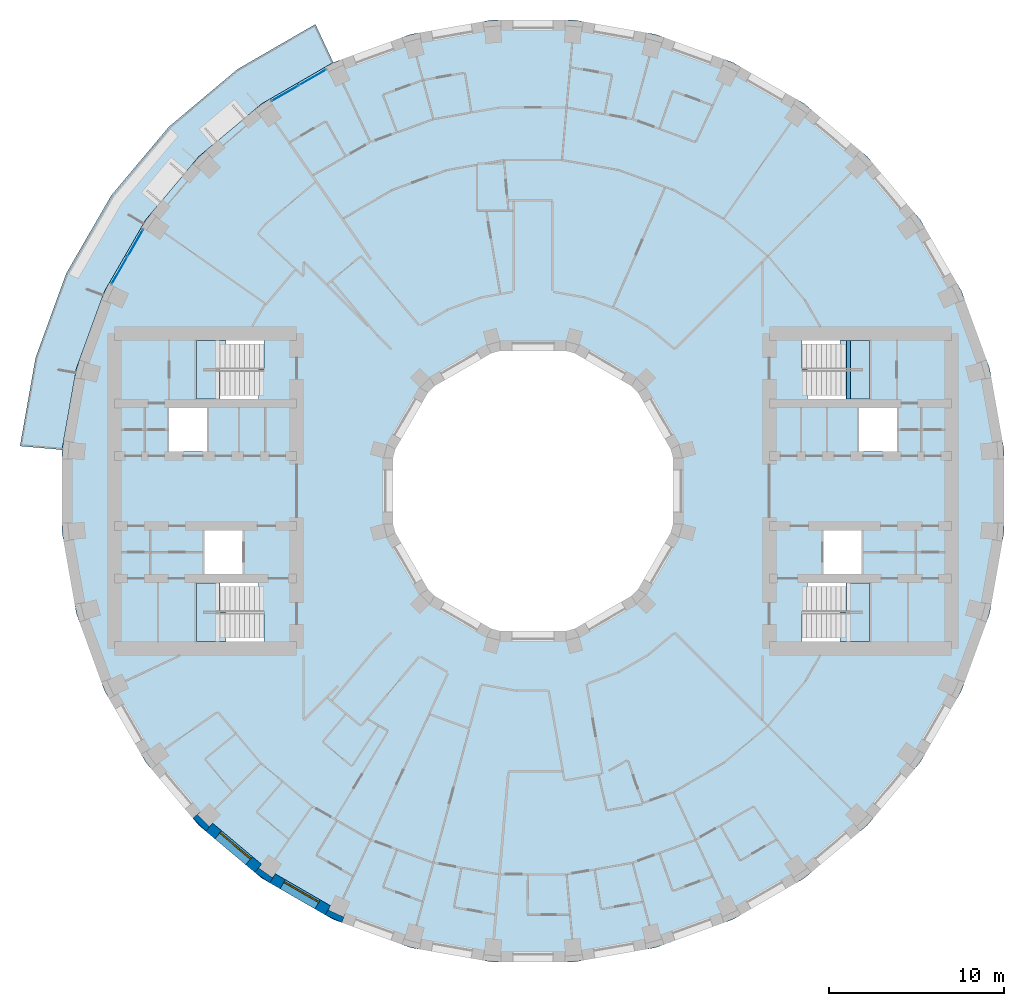
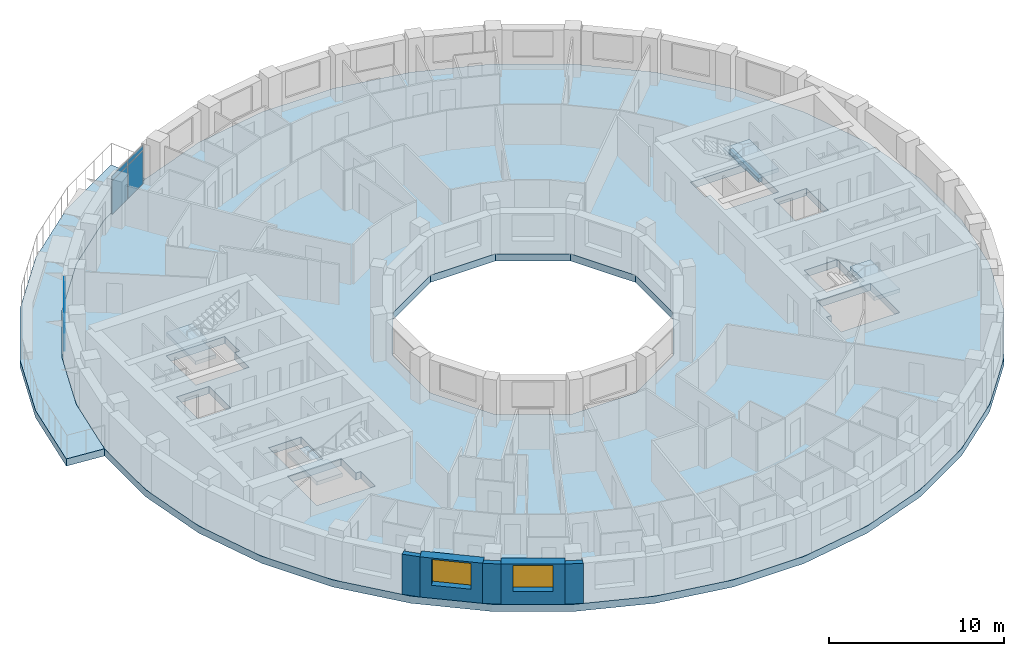
# One storey, part 3 of 14: 8 plates, 6 slabs, 5 walls, 2 windows, 1 beam, 2 openings, 6 elements without a shape of their own.
"""IFC4 building model written with IfcOpenShell, lengths in metres."""

from ifc_helpers import new_model, si_unit, direction, frame, frame_2d, origin, origin_2d, place, context, subcontext, project, spatial, polyline, rectangle, outline, extrude, material, layer, layer_set, material_profile, profile_set, type_object, element, fill, aggregate, save


model = new_model("IFC4")

# Units and contexts
model_context = context("Model", 3, precision=1e-05, world=origin(), true_north=direction((0.0, 1.0)))
body_context = subcontext(model_context, "Body", "Model", "MODEL_VIEW")
ifc_project = project(units=[si_unit("LENGTHUNIT", "METRE"), si_unit("AREAUNIT", "SQUARE_METRE"), si_unit("VOLUMEUNIT", "CUBIC_METRE"), si_unit("PLANEANGLEUNIT", "RADIAN"), si_unit("MASSUNIT", "GRAM", prefix="KILO")], contexts=[model_context])

# Site, building, storey
site_placement = place(None, origin())
site = spatial("IfcSite", under=ifc_project, at=site_placement, CompositionType="ELEMENT")
building_placement = place(site_placement, origin())
building = spatial("IfcBuilding", under=site, at=building_placement, Name="Saqina Gate Tower", CompositionType="ELEMENT")
storey_placement = place(building_placement, frame((0.0, 0.0, 105.10009765625)))
storey = spatial("IfcBuildingStorey", under=building, at=storey_placement, Name="L29", CompositionType="ELEMENT", Elevation=105.10009765625)

# Beam
ifc_material_1 = material(Name="Concrete C40/50", Category="concrete")
ifc_material_profile = material_profile(ifc_material_1, rectangle(XDim=0.25, YDim=0.300048828125, at=origin_2d()), Name="STAIR LANDING BEAM")
ifc_profile_set = profile_set([ifc_material_profile], Name="Concrete C40/50")
beam_type = type_object("IfcBeamType", Name="STAIR LANDING BEAM", PredefinedType="BEAM", material=ifc_profile_set)
beam_placement = place(storey_placement, frame((18.02001953125, 5.25, 1.25), z_axis=(0.0, 1.0, 0.0), x_axis=(-1.0, 0.0, 0.0)))
element("IfcBeam", 1, at=beam_placement, inside=storey, type_object=beam_type, Name="EXIT STAIR 1 LANDING BEAM", PredefinedType="BEAM", context=body_context, shape_type="SweptSolid", body=[
    extrude(rectangle(XDim=0.25, YDim=0.300048828125, at=origin_2d()), origin(), (0.0, 0.0, 1.0), 3.35009765625),
])

# Curtain wall, plates
ifc_material_2 = material(Name="Aluminium glazing", Category="aluminium")
ifc_layer_1 = layer(ifc_material_2, 0.159912109375)
ifc_layer_set_1 = layer_set([ifc_layer_1], Name="CWT-4")
curtain_wall_type = type_object("IfcCurtainWallType", Name="CWT-4", PredefinedType="NOTDEFINED", material=ifc_layer_set_1)
curtain_wall_1_placement = place(storey_placement, origin())
curtain_wall_1 = element("IfcCurtainWall", 2, at=curtain_wall_1_placement, inside=storey, type_object=curtain_wall_type, Name="Terrace lounge glazing facet 12", PredefinedType="NOTDEFINED")
ifc_material_3 = material(Name="Glass", Category="glass")
ifc_layer_2 = layer(ifc_material_3, 0.028076171875)
ifc_layer_set_2 = layer_set([ifc_layer_2], Name="CWT-4P")
plate_type = type_object("IfcPlateType", Name="CWT-4P", PredefinedType="CURTAIN_PANEL", material=ifc_layer_set_2)
plate_1_placement = place(storey_placement, frame((-12.596923828125, 23.6123046875, 0.059814453125), z_axis=(0.0, 0.0, 1.0), x_axis=(-0.86602626266, -0.499998512381, 0.0)))
plate_1 = element("IfcPlate", 3, at=plate_1_placement, type_object=plate_type, Name="CW4-12 panel 1.1", PredefinedType="CURTAIN_PANEL", context=body_context, shape_type="SweptSolid", body=[
    extrude(rectangle(XDim=1.73388671875, YDim=0.028076171875, at=origin_2d()), origin(), (0.0, 0.0, 1.0), 2.31005859375),
])
plate_2_placement = place(storey_placement, frame((-12.596923828125, 23.6123046875, 2.429931640625), z_axis=(0.0, 0.0, 1.0), x_axis=(-0.86602626266, -0.499998512381, 0.0)))
plate_2 = element("IfcPlate", 4, at=plate_2_placement, type_object=plate_type, Name="CW4-12 panel 1.2", PredefinedType="CURTAIN_PANEL", context=body_context, shape_type="SweptSolid", body=[
    extrude(rectangle(XDim=1.73388671875, YDim=0.028076171875, at=origin_2d()), origin(), (0.0, 0.0, 1.0), 0.31005859375),
])
plate_3_placement = place(storey_placement, frame((-14.150390625, 22.71533203125, 0.059814453125), z_axis=(0.0, 0.0, 1.0), x_axis=(-0.86602626266, -0.499998512381, 0.0)))
plate_3 = element("IfcPlate", 5, at=plate_3_placement, type_object=plate_type, Name="CW4-12 panel 2.1", PredefinedType="CURTAIN_PANEL", context=body_context, shape_type="SweptSolid", body=[
    extrude(rectangle(XDim=1.73388671875, YDim=0.028076171875, at=origin_2d()), origin(), (0.0, 0.0, 1.0), 2.31005859375),
])
plate_4_placement = place(storey_placement, frame((-14.150390625, 22.71533203125, 2.429931640625), z_axis=(0.0, 0.0, 1.0), x_axis=(-0.86602626266, -0.499998512381, 0.0)))
plate_4 = element("IfcPlate", 6, at=plate_4_placement, type_object=plate_type, Name="CW4-12 panel 2.2", PredefinedType="CURTAIN_PANEL", context=body_context, shape_type="SweptSolid", body=[
    extrude(rectangle(XDim=1.73388671875, YDim=0.028076171875, at=origin_2d()), origin(), (0.0, 0.0, 1.0), 0.31005859375),
])
aggregate(curtain_wall_1, [plate_1, plate_2, plate_3, plate_4])

curtain_wall_2_placement = place(storey_placement, origin())
curtain_wall_2 = element("IfcCurtainWall", 7, at=curtain_wall_2_placement, inside=storey, type_object=curtain_wall_type, Name="Terrace lounge glazing facet 15", PredefinedType="NOTDEFINED")
plate_5_placement = place(storey_placement, frame((-22.71533203125, 14.150390625, 0.059814453125), z_axis=(0.0, 0.0, 1.0), x_axis=(-0.499998512381, -0.86602626266, 0.0)))
plate_5 = element("IfcPlate", 8, at=plate_5_placement, type_object=plate_type, Name="CW4-15 panel 1.1", PredefinedType="CURTAIN_PANEL", context=body_context, shape_type="SweptSolid", body=[
    extrude(rectangle(XDim=1.73388671875, YDim=0.028076171875, at=origin_2d()), origin(), (0.0, 0.0, 1.0), 2.31005859375),
])
plate_6_placement = place(storey_placement, frame((-22.71533203125, 14.150390625, 2.429931640625), z_axis=(0.0, 0.0, 1.0), x_axis=(-0.499998512381, -0.86602626266, 0.0)))
plate_6 = element("IfcPlate", 9, at=plate_6_placement, type_object=plate_type, Name="CW4-15 panel 1.2", PredefinedType="CURTAIN_PANEL", context=body_context, shape_type="SweptSolid", body=[
    extrude(rectangle(XDim=1.73388671875, YDim=0.028076171875, at=origin_2d()), origin(), (0.0, 0.0, 1.0), 0.31005859375),
])
plate_7_placement = place(storey_placement, frame((-23.6123046875, 12.596923828125, 0.059814453125), z_axis=(0.0, 0.0, 1.0), x_axis=(-0.499998512381, -0.86602626266, 0.0)))
plate_7 = element("IfcPlate", 10, at=plate_7_placement, type_object=plate_type, Name="CW4-15 panel 2.1", PredefinedType="CURTAIN_PANEL", context=body_context, shape_type="SweptSolid", body=[
    extrude(rectangle(XDim=1.73388671875, YDim=0.028076171875, at=origin_2d()), origin(), (0.0, 0.0, 1.0), 2.31005859375),
])
plate_8_placement = place(storey_placement, frame((-23.6123046875, 12.596923828125, 2.429931640625), z_axis=(0.0, 0.0, 1.0), x_axis=(-0.499998512381, -0.86602626266, 0.0)))
plate_8 = element("IfcPlate", 11, at=plate_8_placement, type_object=plate_type, Name="CW4-15 panel 2.2", PredefinedType="CURTAIN_PANEL", context=body_context, shape_type="SweptSolid", body=[
    extrude(rectangle(XDim=1.73388671875, YDim=0.028076171875, at=origin_2d()), origin(), (0.0, 0.0, 1.0), 0.31005859375),
])
aggregate(curtain_wall_2, [plate_5, plate_6, plate_7, plate_8])

# Stair, slab
ifc_material_4 = material(Name="Concrete C40/50", Category="concrete")
stair_type = type_object("IfcStairType", Name="EXIT STAIR", PredefinedType="HALF_TURN_STAIR", material=ifc_material_4)
stair_1_placement = place(storey_placement, origin())
stair_1 = element("IfcStair", 12, at=stair_1_placement, inside=storey, type_object=stair_type, Name="EXIT STAIR 1", PredefinedType="HALF_TURN_STAIR")
ifc_material_5 = material(Name="Concrete C40/50", Category="concrete")
ifc_layer_3 = layer(ifc_material_5, 0.25)
ifc_layer_set_3 = layer_set([ifc_layer_3], Name="Concrete C40/50")
slab_type_1 = type_object("IfcSlabType", Name="EXIT STAIR LANDING", PredefinedType="LANDING", material=ifc_layer_set_3)
slab_1_placement = place(storey_placement, frame((0.0, 0.0, 1.39990234375)))
slab_1 = element("IfcSlab", 13, at=slab_1_placement, type_object=slab_type_1, Name="EXIT STAIR 1 LANDING 1", PredefinedType="LANDING", context=body_context, shape_type="SweptSolid", body=[
    extrude(outline(polyline([(19.219970703125, 8.60009765625), (19.219970703125, 5.25), (17.864990234375, 5.25), (17.864990234375, 6.925048828125), (17.534423828125, 6.925048828125), (17.534423828125, 8.60009765625), (17.864990234375, 8.60009765625), (17.8701171875, 8.60009765625), (19.219970703125, 8.60009765625)])), origin(), (0.0, 0.0, 1.0), 0.25),
])
aggregate(stair_1, [slab_1])

stair_2_placement = place(storey_placement, origin())
stair_2 = element("IfcStair", 14, at=stair_2_placement, inside=storey, type_object=stair_type, Name="EXIT STAIR 2", PredefinedType="HALF_TURN_STAIR")
slab_2_placement = place(storey_placement, frame((0.0, 0.0, 1.39990234375)))
slab_2 = element("IfcSlab", 15, at=slab_2_placement, type_object=slab_type_1, Name="EXIT STAIR 2 LANDING 1", PredefinedType="LANDING", context=body_context, shape_type="SweptSolid", body=[
    extrude(outline(polyline([(17.534423828125, -8.60009765625), (17.534423828125, -6.925048828125), (17.864990234375, -6.925048828125), (17.864990234375, -5.25), (19.219970703125, -5.25), (19.219970703125, -8.60009765625), (17.8701171875, -8.60009765625), (17.864990234375, -8.60009765625), (17.534423828125, -8.60009765625)])), origin(), (0.0, 0.0, 1.0), 0.25),
])
aggregate(stair_2, [slab_2])

stair_3_placement = place(storey_placement, origin())
stair_3 = element("IfcStair", 16, at=stair_3_placement, inside=storey, type_object=stair_type, Name="EXIT STAIR 3", PredefinedType="HALF_TURN_STAIR")
slab_3_placement = place(storey_placement, frame((0.0, 0.0, 1.39990234375)))
slab_3 = element("IfcSlab", 17, at=slab_3_placement, type_object=slab_type_1, Name="EXIT STAIR 3 LANDING 1", PredefinedType="LANDING", context=body_context, shape_type="SweptSolid", body=[
    extrude(outline(polyline([(-17.864990234375, 5.25), (-19.219970703125, 5.25), (-19.219970703125, 8.60009765625), (-17.8701171875, 8.60009765625), (-17.864990234375, 8.60009765625), (-17.534423828125, 8.60009765625), (-17.534423828125, 6.925048828125), (-17.864990234375, 6.925048828125), (-17.864990234375, 5.25)])), origin(), (0.0, 0.0, 1.0), 0.25),
])
aggregate(stair_3, [slab_3])

stair_4_placement = place(storey_placement, origin())
stair_4 = element("IfcStair", 18, at=stair_4_placement, inside=storey, type_object=stair_type, Name="EXIT STAIR 4", PredefinedType="HALF_TURN_STAIR")
slab_4_placement = place(storey_placement, frame((0.0, 0.0, 1.39990234375)))
slab_4 = element("IfcSlab", 19, at=slab_4_placement, type_object=slab_type_1, Name="EXIT STAIR 4 LANDING 1", PredefinedType="LANDING", context=body_context, shape_type="SweptSolid", body=[
    extrude(outline(polyline([(-17.534423828125, -6.925048828125), (-17.534423828125, -8.60009765625), (-17.864990234375, -8.60009765625), (-17.8701171875, -8.60009765625), (-19.219970703125, -8.60009765625), (-19.219970703125, -5.25), (-17.864990234375, -5.25), (-17.864990234375, -6.925048828125), (-17.534423828125, -6.925048828125)])), origin(), (0.0, 0.0, 1.0), 0.25),
])
aggregate(stair_4, [slab_4])

# Slabs
ifc_material_6 = material(Name="Concrete C40/50", Category="concrete")
ifc_layer_4 = layer(ifc_material_6, 0.5)
ifc_layer_set_4 = layer_set([ifc_layer_4], Name="Concrete C40/50")
slab_type_2 = type_object("IfcSlabType", Name="STR-POST-TENSIONED FLAT PLATE FLOOR-500", PredefinedType="FLOOR", material=ifc_layer_set_4)
slab_5_placement = place(storey_placement, frame((0.0, 0.0, -0.5)))
element("IfcSlab", 20, at=slab_5_placement, inside=storey, type_object=slab_type_2, Name="L29-SLB01", PredefinedType="FLOOR", context=body_context, shape_type="SweptSolid", body=[
    extrude(outline(polyline([(26.080078125, -6.988037109375), (26.897216796875, -2.353271484375), (26.897216796875, 2.353271484375), (26.080078125, 6.988037109375), (24.47021484375, 11.41064453125), (22.1171875, 15.486572265625), (19.091796875, 19.091796875), (15.486572265625, 22.1171875), (11.41064453125, 24.47021484375), (6.988037109375, 26.080078125), (2.353271484375, 26.897216796875), (-2.353271484375, 26.897216796875), (-6.988037109375, 26.080078125), (-11.41064453125, 24.47021484375), (-15.486572265625, 22.1171875), (-19.091796875, 19.091796875), (-22.1171875, 15.486572265625), (-24.47021484375, 11.41064453125), (-26.080078125, 6.988037109375), (-26.897216796875, 2.353271484375), (-26.897216796875, -2.353271484375), (-26.080078125, -6.988037109375), (-24.47021484375, -11.41064453125), (-22.1171875, -15.486572265625), (-19.091796875, -19.091796875), (-15.486572265625, -22.1171875), (-11.41064453125, -24.47021484375), (-6.988037109375, -26.080078125), (-2.353271484375, -26.897216796875), (2.353271484375, -26.897216796875), (6.988037109375, -26.080078125), (11.41064453125, -24.47021484375), (15.486572265625, -22.1171875), (19.091796875, -19.091796875), (22.1171875, -15.486572265625), (24.47021484375, -11.41064453125), (26.080078125, -6.988037109375)]), holes=[polyline([(2.1435546875, 8.0), (5.8564453125, 5.8564453125), (8.0, 2.1435546875), (8.0, -2.1435546875), (5.8564453125, -5.8564453125), (2.1435546875, -8.0), (-2.1435546875, -8.0), (-5.8564453125, -5.8564453125), (-8.0, -2.1435546875), (-8.0, 2.1435546875), (-5.8564453125, 5.8564453125), (-2.1435546875, 8.0), (2.1435546875, 8.0)]), polyline([(-15.35498046875, -8.60009765625), (-19.219970703125, -8.60009765625), (-19.219970703125, -6.925048828125), (-19.219970703125, -5.25), (-15.685546875, -5.25), (-15.685546875, -6.925048828125), (-15.35498046875, -6.925048828125), (-15.35498046875, -8.60009765625)]), polyline([(-16.590087890625, -2.25), (-16.590087890625, -4.75), (-18.75, -4.75), (-18.75, -2.25), (-16.590087890625, -2.25)]), polyline([(-20.780029296875, 4.75), (-18.6201171875, 4.75), (-18.6201171875, 2.25), (-20.780029296875, 2.25), (-20.780029296875, 4.75)]), polyline([(-19.219970703125, 6.925048828125), (-19.219970703125, 8.60009765625), (-15.35498046875, 8.60009765625), (-15.35498046875, 6.925048828125), (-15.685546875, 6.925048828125), (-15.685546875, 5.25), (-19.219970703125, 5.25), (-19.219970703125, 6.925048828125)]), polyline([(15.35498046875, -8.60009765625), (15.35498046875, -6.925048828125), (15.685546875, -6.925048828125), (15.685546875, -5.25), (19.219970703125, -5.25), (19.219970703125, -6.925048828125), (19.219970703125, -8.60009765625), (15.35498046875, -8.60009765625)]), polyline([(18.75, -2.25), (18.75, -4.75), (16.590087890625, -4.75), (16.590087890625, -2.25), (18.75, -2.25)]), polyline([(18.6201171875, 4.75), (20.780029296875, 4.75), (20.780029296875, 2.25), (18.6201171875, 2.25), (18.6201171875, 4.75)]), polyline([(15.685546875, 6.925048828125), (15.35498046875, 6.925048828125), (15.35498046875, 8.60009765625), (19.219970703125, 8.60009765625), (19.219970703125, 6.925048828125), (19.219970703125, 5.25), (15.685546875, 5.25), (15.685546875, 6.925048828125)])]), origin(), (0.0, 0.0, 1.0), 0.5),
])
ifc_material_7 = material(Name="Concrete C40/50", Category="concrete")
ifc_layer_5 = layer(ifc_material_7, 0.5)
ifc_layer_set_5 = layer_set([ifc_layer_5], Name="Concrete C40/50")
slab_type_3 = type_object("IfcSlabType", Name="STR-POST-TENSIONED FLAT PLATE TERRACE-500", PredefinedType="FLOOR", material=ifc_layer_set_5)
slab_6_placement = place(storey_placement, frame((0.0, 0.0, -0.5)))
element("IfcSlab", 21, at=slab_6_placement, inside=storey, type_object=slab_type_3, Name="L29-TRS01", PredefinedType="FLOOR", context=body_context, shape_type="SweptSolid", body=[
    extrude(outline(polyline([(-11.41064453125, 24.47021484375), (-15.486572265625, 22.1171875), (-19.091796875, 19.091796875), (-22.1171875, 15.486572265625), (-24.47021484375, 11.41064453125), (-26.080078125, 6.988037109375), (-26.897216796875, 2.353271484375), (-29.29736328125, 2.563232421875), (-28.406982421875, 7.611572265625), (-26.65380859375, 12.428955078125), (-24.090576171875, 16.868408203125), (-20.79541015625, 20.79541015625), (-16.868408203125, 24.090576171875), (-12.428955078125, 26.65380859375), (-11.41064453125, 24.47021484375)])), origin(), (0.0, 0.0, 1.0), 0.5),
])

# Walls
ifc_material_8 = material(Name="Brick masonry (buff)", Category="masonry")
wall_type_1 = type_object("IfcWallType", Name="BRICK PIER COPING BUFF", PredefinedType="SOLIDWALL", material=ifc_material_8)
wall_1_placement = place(storey_placement, origin())
element("IfcWall", 22, at=wall_1_placement, inside=storey, type_object=wall_type_1, Name="Pier cap L29 column 23", PredefinedType="SOLIDWALL", context=body_context, shape_type="SweptSolid", body=[
    extrude(outline(polyline([(-19.43212890625, -18.686279296875), (-18.686279296875, -19.43212890625), (-18.30078125, -18.972412109375), (-18.49072265625, -19.16259765625), (-19.16259765625, -18.49072265625), (-18.972412109375, -18.30078125), (-19.43212890625, -18.686279296875)])), origin(), (0.0, 0.0, 1.0), 2.7998046875),
])
wall_2_placement = place(storey_placement, origin())
element("IfcWall", 23, at=wall_2_placement, inside=storey, type_object=wall_type_1, Name="Pier cap L29 column 24", PredefinedType="SOLIDWALL", context=body_context, shape_type="SweptSolid", body=[
    extrude(outline(polyline([(-15.0283203125, -22.3818359375), (-14.728271484375, -21.862060546875), (-14.88232421875, -22.08251953125), (-15.66064453125, -21.53759765625), (-15.50634765625, -21.317138671875), (-15.89208984375, -21.77685546875), (-15.0283203125, -22.3818359375)])), origin(), (0.0, 0.0, 1.0), 2.7998046875),
])
wall_3_placement = place(storey_placement, origin())
element("IfcWall", 24, at=wall_3_placement, inside=storey, type_object=wall_type_1, Name="Pier cap L29 column 25", PredefinedType="SOLIDWALL", context=body_context, shape_type="SweptSolid", body=[
    extrude(outline(polyline([(-10.913330078125, -24.6513671875), (-10.7080078125, -24.08740234375), (-10.82177734375, -24.331298828125), (-11.6826171875, -23.9296875), (-11.569091796875, -23.68603515625), (-11.869140625, -24.205810546875), (-10.913330078125, -24.6513671875)])), origin(), (0.0, 0.0, 1.0), 2.7998046875),
])

# Wall, opening, window
ifc_material_9 = material(Name="Brick masonry (buff)", Category="masonry")
ifc_layer_6 = layer(ifc_material_9, 0.60009765625)
ifc_layer_set_6 = layer_set([ifc_layer_6], Name="FW-BRICK-BUFF")
wall_type_2 = type_object("IfcWallType", Name="FW-BRICK-BUFF", PredefinedType="SOLIDWALL", material=ifc_layer_set_6)
wall_4_placement = place(storey_placement, frame((-18.49365234375, -19.202392578125, 0.0), z_axis=(0.0, 0.0, 1.0), x_axis=(0.766055462616, -0.642774476932, 0.0)))
wall_4 = element("IfcWall", 25, at=wall_4_placement, inside=storey, type_object=wall_type_2, Name="Facade wall L29 facet 23", PredefinedType="SOLIDWALL", context=body_context, shape_type="SweptSolid", body=[
    extrude(rectangle(XDim=3.647705078125, YDim=0.60009765625, at=frame_2d((1.82373046875, 0.0))), origin(), (0.0, 0.0, 1.0), 2.7998046875),
])
opening_1_placement = place(wall_4_placement, frame((0.673828125, 0.0, 0.89990234375)))
opening_1 = element("IfcOpeningElement", 26, at=opening_1_placement, cuts=wall_4, Name="Opening G08-W12", PredefinedType="OPENING", context=body_context, shape_type="SweptSolid", body=[
    extrude(rectangle(XDim=2.300048828125, YDim=1.800048828125, at=frame_2d((1.14990234375, 0.89990234375))), frame((0.0, 0.31201171875, 0.0), z_axis=(0.0, -1.0, 0.0), x_axis=(1.0, 0.0, 0.0)), (0.0, 0.0, 1.0), 0.6240234375),
])
ifc_material_10 = material(Name="Aluminium glazing", Category="aluminium")
window_type = type_object("IfcWindowType", Name="WN-B", PartitioningType="SINGLE_PANEL", PredefinedType="WINDOW", material=ifc_material_10)
window_1_placement = place(opening_1_placement, origin())
window_1 = element("IfcWindow", 27, at=window_1_placement, inside=storey, type_object=window_type, Name="Window L29 facet 23", OverallHeight=1.800048828125, OverallWidth=2.300048828125, PartitioningType="SINGLE_PANEL", PredefinedType="WINDOW", context=body_context, shape_type="SweptSolid", body=[
    extrude(rectangle(XDim=2.300048828125, YDim=1.800048828125, at=frame_2d((1.14990234375, 0.89990234375))), frame((0.0, 0.179931640625, 0.0), z_axis=(0.0, -1.0, 0.0), x_axis=(1.0, 0.0, 0.0)), (0.0, 0.0, 1.0), 0.06005859375),
])
fill(opening_1, window_1)

wall_5_placement = place(storey_placement, frame((-14.878173828125, -22.1220703125, 0.0), z_axis=(0.0, 0.0, 1.0), x_axis=(0.866051847062, -0.499954196102, 0.0)))
wall_5 = element("IfcWall", 28, at=wall_5_placement, inside=storey, type_object=wall_type_2, Name="Facade wall L29 facet 24", PredefinedType="SOLIDWALL", context=body_context, shape_type="SweptSolid", body=[
    extrude(rectangle(XDim=3.647705078125, YDim=0.60009765625, at=frame_2d((1.82373046875, 0.0))), origin(), (0.0, 0.0, 1.0), 2.7998046875),
])
opening_2_placement = place(wall_5_placement, frame((0.673828125, 0.0, 0.89990234375)))
opening_2 = element("IfcOpeningElement", 29, at=opening_2_placement, cuts=wall_5, Name="Opening G08-W13", PredefinedType="OPENING", context=body_context, shape_type="SweptSolid", body=[
    extrude(rectangle(XDim=2.300048828125, YDim=1.800048828125, at=frame_2d((1.14990234375, 0.89990234375))), frame((0.0, 0.31201171875, 0.0), z_axis=(0.0, -1.0, 0.0), x_axis=(1.0, 0.0, 0.0)), (0.0, 0.0, 1.0), 0.6240234375),
])
window_2_placement = place(opening_2_placement, origin())
window_2 = element("IfcWindow", 30, at=window_2_placement, inside=storey, type_object=window_type, Name="Window L29 facet 24", OverallHeight=1.800048828125, OverallWidth=2.300048828125, PartitioningType="SINGLE_PANEL", PredefinedType="WINDOW", context=body_context, shape_type="SweptSolid", body=[
    extrude(rectangle(XDim=2.300048828125, YDim=1.800048828125, at=frame_2d((1.14990234375, 0.89990234375))), frame((0.0, 0.179931640625, 0.0), z_axis=(0.0, -1.0, 0.0), x_axis=(1.0, 0.0, 0.0)), (0.0, 0.0, 1.0), 0.06005859375),
])
fill(opening_2, window_2)

save(model, "model.ifc")
